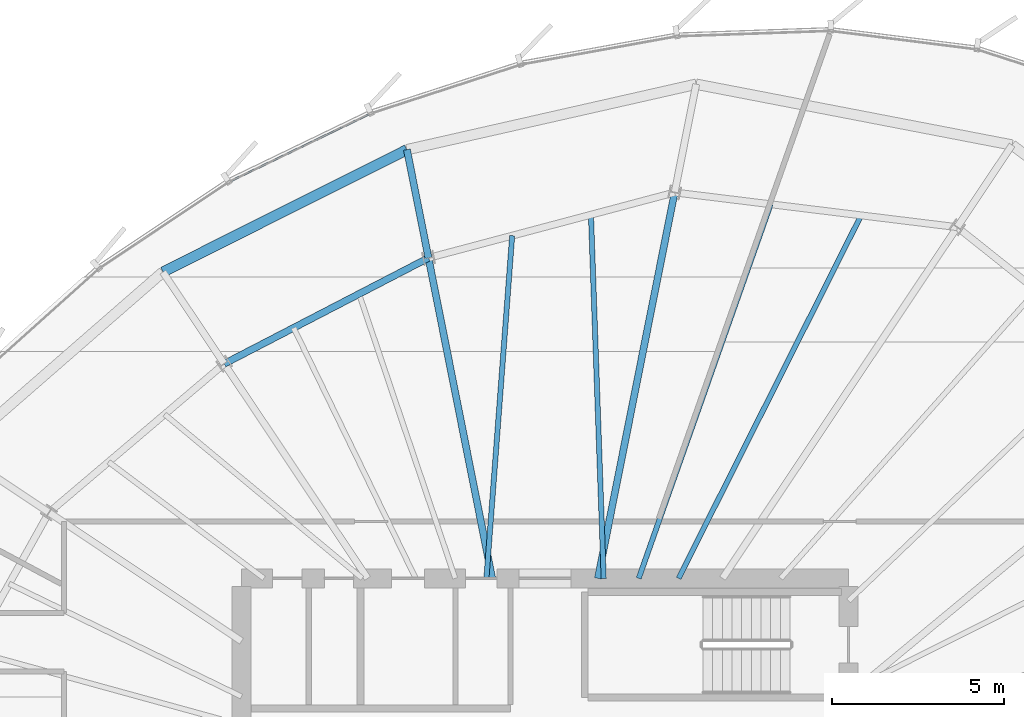
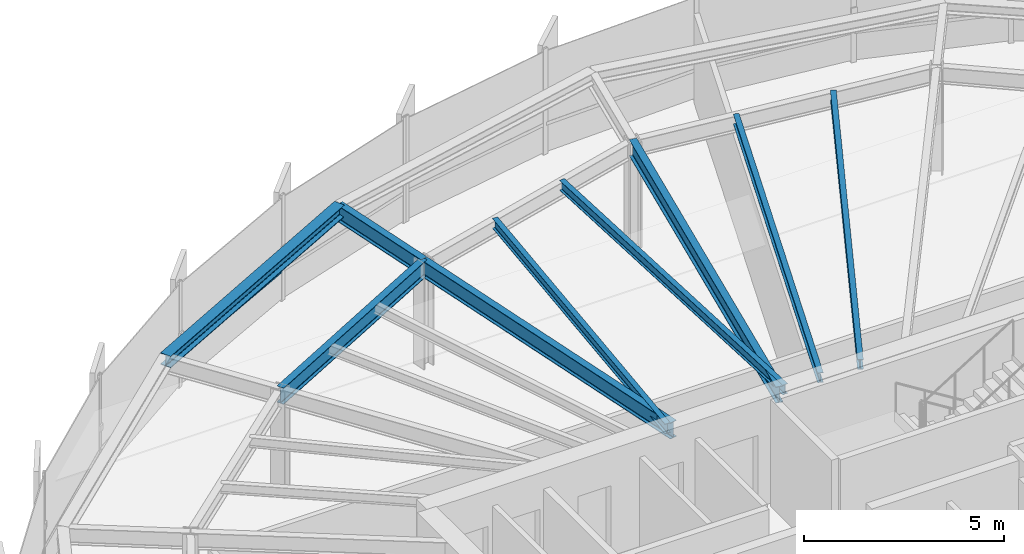
# One storey, part 22 of 34: 9 beams, 1 member, 1 element without a shape of its own.
"""IFC4 building model written with IfcOpenShell, lengths in metres."""

from ifc_helpers import new_model, si_unit, direction, frame, origin, origin_2d, place, context, subcontext, project, spatial, hollow_rectangle, i_section, extrude, source, transform, mapped, material, layer, layer_set, material_profile, profile_set, type_object, element, aggregate, save


model = new_model("IFC4")

# Units and contexts
model_context = context("Model", 3, precision=1e-05, world=origin(), true_north=direction((0.0, 1.0)))
body_context = subcontext(model_context, "Body", "Model", "MODEL_VIEW")
ifc_project = project(units=[si_unit("LENGTHUNIT", "METRE"), si_unit("AREAUNIT", "SQUARE_METRE"), si_unit("VOLUMEUNIT", "CUBIC_METRE"), si_unit("PLANEANGLEUNIT", "RADIAN"), si_unit("MASSUNIT", "GRAM", prefix="KILO"), si_unit("THERMODYNAMICTEMPERATUREUNIT", "KELVIN")], contexts=[model_context])

# Site, building, storey
site_placement = place(None, origin())
site = spatial("IfcSite", under=ifc_project, at=site_placement, CompositionType="ELEMENT")
building_placement = place(site_placement, origin())
building = spatial("IfcBuilding", under=site, at=building_placement, Name="Kethvar Cultural Tower", CompositionType="ELEMENT")
storey_placement = place(building_placement, frame((0.0, 0.0, 186.89990234375)))
storey = spatial("IfcBuildingStorey", under=building, at=storey_placement, Name="L48", CompositionType="ELEMENT", Elevation=186.89990234375)

# Beams
ifc_material_1 = material(Name="Steel S355J2", Category="steel")
ifc_material_profile_1 = material_profile(ifc_material_1, i_section(OverallWidth=0.199951171875, OverallDepth=0.5, WebThickness=0.01025390625, FlangeThickness=0.01611328125, FilletRadius=0.02099609375, at=origin_2d()), Name="Steel S355J2 — IPE500")
ifc_profile_set_1 = profile_set([ifc_material_profile_1], Name="Steel S355J2 — IPE500")
beam_type_1 = type_object("IfcBeamType", Name="BM-IPE500", PredefinedType="BEAM", material=ifc_profile_set_1)
shared_shape_1 = source(origin(), body_context, "Body", "SweptSolid", [
    extrude(i_section(OverallWidth=0.199951171875, OverallDepth=0.5, WebThickness=0.01025390625, FlangeThickness=0.01611328125, FilletRadius=0.02099609375, at=origin_2d()), origin(), (0.0, 0.0, 1.0), 3.199951171875),
])
beam_1_placement = place(storey_placement, frame((43.420654296875, 44.789306640625, 3.008056640625), z_axis=(-0.195088965533, 0.980785550224, 0.0), x_axis=(-0.980785550224, -0.195088965533, 0.0)))
element("IfcBeam", 1, at=beam_1_placement, inside=storey, type_object=beam_type_1, Name="L48 Perimeter Cantilever Beam RC-05", PredefinedType="BEAM", context=body_context, shape_type="MappedRepresentation", body=[
    mapped(shared_shape_1, transform((0.0, 0.0, 0.0), scale=1.0)),
])
shared_shape_2 = source(origin(), body_context, "Body", "SweptSolid", [
    extrude(i_section(OverallWidth=0.199951171875, OverallDepth=0.5, WebThickness=0.01025390625, FlangeThickness=0.01611328125, FilletRadius=0.02099609375, at=origin_2d()), origin(), (0.0, 0.0, 1.0), 11.40673828125),
])
beam_2_placement = place(storey_placement, frame((48.33154296875, 35.5, 3.008056640625), z_axis=(0.195091138918, 0.980785117911, 0.0), x_axis=(-0.980785117911, 0.195091138918, 0.0)))
element("IfcBeam", 2, at=beam_2_placement, inside=storey, type_object=beam_type_1, Name="L48 Primary Radial Beam RB-04", PredefinedType="BEAM", context=body_context, shape_type="MappedRepresentation", body=[
    mapped(shared_shape_2, transform((0.0, 0.0, 0.0), scale=1.0)),
])
shared_shape_3 = source(origin(), body_context, "Body", "SweptSolid", [
    extrude(i_section(OverallWidth=0.199951171875, OverallDepth=0.5, WebThickness=0.01025390625, FlangeThickness=0.01611328125, FilletRadius=0.02099609375, at=origin_2d()), origin(), (0.0, 0.0, 1.0), 9.47119140625),
])
beam_3_placement = place(storey_placement, frame((45.268310546875, 35.5, 3.008056640625), z_axis=(-0.195079990396, 0.980787335434, 0.0), x_axis=(-0.980787335434, -0.195079990396, 0.0)))
element("IfcBeam", 3, at=beam_3_placement, inside=storey, type_object=beam_type_1, Name="L48 Primary Radial Beam RB-05", PredefinedType="BEAM", context=body_context, shape_type="MappedRepresentation", body=[
    mapped(shared_shape_3, transform((0.0, 0.0, 0.0), scale=1.0)),
])
ifc_material_profile_2 = material_profile(ifc_material_1, i_section(OverallWidth=0.14990234375, OverallDepth=0.300048828125, WebThickness=0.007080078125, FlangeThickness=0.0107421875, FilletRadius=0.014892578125, at=origin_2d()), Name="Steel S355J2 — IPE300")
ifc_profile_set_2 = profile_set([ifc_material_profile_2], Name="Steel S355J2 — IPE300")
beam_type_2 = type_object("IfcBeamType", Name="BM-J300", PredefinedType="JOIST", material=ifc_profile_set_2)
shared_shape_4 = source(origin(), body_context, "Body", "SweptSolid", [
    extrude(i_section(OverallWidth=0.14990234375, OverallDepth=0.300048828125, WebThickness=0.007080078125, FlangeThickness=0.0107421875, FilletRadius=0.014892578125, at=origin_2d()), origin(), (0.0, 0.0, 1.0), 11.77880859375),
])
beam_4_placement = place(storey_placement, frame((50.671630859375, 35.5, 3.108154296875), z_axis=(0.449218855458, 0.893421748057, 0.0), x_axis=(-0.893421748057, 0.449218855458, 0.0)))
element("IfcBeam", 4, at=beam_4_placement, inside=storey, type_object=beam_type_2, Name="L48 Composite Floor Joist J-03A", PredefinedType="JOIST", context=body_context, shape_type="MappedRepresentation", body=[
    mapped(shared_shape_4, transform((0.0, 0.0, 0.0), scale=1.0)),
])
shared_shape_5 = source(origin(), body_context, "Body", "SweptSolid", [
    extrude(i_section(OverallWidth=0.14990234375, OverallDepth=0.300048828125, WebThickness=0.007080078125, FlangeThickness=0.0107421875, FilletRadius=0.014892578125, at=origin_2d()), origin(), (0.0, 0.0, 1.0), 11.50048828125),
])
beam_5_placement = place(storey_placement, frame((49.51611328125, 35.5, 3.108154296875), z_axis=(0.332655768875, 0.943048322958, 0.0), x_axis=(-0.943048322958, 0.332655768875, 0.0)))
element("IfcBeam", 5, at=beam_5_placement, inside=storey, type_object=beam_type_2, Name="L48 Composite Floor Joist J-03B", PredefinedType="JOIST", context=body_context, shape_type="MappedRepresentation", body=[
    mapped(shared_shape_5, transform((0.0, 0.0, 0.0), scale=1.0)),
])
shared_shape_6 = source(origin(), body_context, "Body", "SweptSolid", [
    extrude(i_section(OverallWidth=0.14990234375, OverallDepth=0.300048828125, WebThickness=0.007080078125, FlangeThickness=0.0107421875, FilletRadius=0.014892578125, at=origin_2d()), origin(), (0.0, 0.0, 1.0), 10.54833984375),
])
beam_6_placement = place(storey_placement, frame((48.5, 35.5, 3.108154296875), z_axis=(-0.035017879941, 0.999386685965, 0.0), x_axis=(-0.999386685965, -0.035017879941, 0.0)))
element("IfcBeam", 6, at=beam_6_placement, inside=storey, type_object=beam_type_2, Name="L48 Composite Floor Joist J-04A", PredefinedType="JOIST", context=body_context, shape_type="MappedRepresentation", body=[
    mapped(shared_shape_6, transform((0.0, 0.0, 0.0), scale=1.0)),
])
shared_shape_7 = source(origin(), body_context, "Body", "SweptSolid", [
    extrude(i_section(OverallWidth=0.14990234375, OverallDepth=0.300048828125, WebThickness=0.007080078125, FlangeThickness=0.0107421875, FilletRadius=0.014892578125, at=origin_2d()), origin(), (0.0, 0.0, 1.0), 9.962646484375),
])
beam_7_placement = place(storey_placement, frame((45.10009765625, 35.5, 3.108154296875), z_axis=(0.074962964429, 0.99718631858, 0.0), x_axis=(-0.99718631858, 0.074962964429, 0.0)))
element("IfcBeam", 7, at=beam_7_placement, inside=storey, type_object=beam_type_2, Name="L48 Composite Floor Joist J-04B", PredefinedType="JOIST", context=body_context, shape_type="MappedRepresentation", body=[
    mapped(shared_shape_7, transform((0.0, 0.0, 0.0), scale=1.0)),
])
shared_shape_8 = source(origin(), body_context, "Body", "SweptSolid", [
    extrude(i_section(OverallWidth=0.199951171875, OverallDepth=0.5, WebThickness=0.01025390625, FlangeThickness=0.01611328125, FilletRadius=0.02099609375, at=origin_2d()), origin(), (0.0, 0.0, 1.0), 6.669921875),
])
beam_8_placement = place(storey_placement, frame((43.420654296875, 44.789306640625, 3.008056640625), z_axis=(-0.887861983948, -0.460109875421, 0.0), x_axis=(0.460109875421, -0.887861983948, 0.0)))
element("IfcBeam", 8, at=beam_8_placement, inside=storey, type_object=beam_type_1, Name="L48 Column Ring Tie Beam CR-05", PredefinedType="BEAM", context=body_context, shape_type="MappedRepresentation", body=[
    mapped(shared_shape_8, transform((0.0, 0.0, 0.0), scale=1.0)),
])
ifc_material_profile_3 = material_profile(ifc_material_1, i_section(OverallWidth=0.300048828125, OverallDepth=0.360107421875, WebThickness=0.012451171875, FlangeThickness=0.0224609375, FilletRadius=0.027099609375, at=origin_2d()), Name="Steel S355J2 — HEB360")
ifc_profile_set_3 = profile_set([ifc_material_profile_3], Name="Steel S355J2 — HEB360")
beam_type_3 = type_object("IfcBeamType", Name="BM-SP360", PredefinedType="SPANDREL", material=ifc_profile_set_3)
shared_shape_9 = source(origin(), body_context, "Body", "SweptSolid", [
    extrude(i_section(OverallWidth=0.300048828125, OverallDepth=0.360107421875, WebThickness=0.012451171875, FlangeThickness=0.0224609375, FilletRadius=0.027099609375, at=origin_2d()), origin(), (0.0, 0.0, 1.0), 7.91455078125),
])
beam_9_placement = place(storey_placement, frame((42.79638671875, 47.927734375, 3.078125), z_axis=(-0.893976371529, -0.44811410059, 0.0), x_axis=(0.44811410059, -0.893976371529, 0.0)))
element("IfcBeam", 9, at=beam_9_placement, inside=storey, type_object=beam_type_3, Name="L48 Perimeter Spandrel Beam SP-05", PredefinedType="SPANDREL", context=body_context, shape_type="MappedRepresentation", body=[
    mapped(shared_shape_9, transform((0.0, 0.0, 0.0), scale=1.0)),
])

# Curtain wall, member
ifc_material_2 = material(Name="Aluminium 6063-T6", Category="aluminium")
ifc_layer = layer(ifc_material_2, 0.179931640625, Name="Aluminium 6063-T6", Category="aluminium")
ifc_layer_set = layer_set([ifc_layer], Name="Aluminium 6063-T6 (180 mm)")
curtain_wall_type = type_object("IfcCurtainWallType", Name="CW-SYS-04-Z34", PredefinedType="NOTDEFINED", material=ifc_layer_set)
curtain_wall_placement = place(storey_placement, origin())
curtain_wall = element("IfcCurtainWall", 10, at=curtain_wall_placement, inside=storey, type_object=curtain_wall_type, Name="L48 Curtain Wall Run 02", PredefinedType="NOTDEFINED")
ifc_material_profile_4 = material_profile(ifc_material_2, hollow_rectangle(XDim=0.050048828125, YDim=0.10009765625, WallThickness=0.00390625, at=origin_2d()), Name="Aluminium 6063-T6 — RHS100x50x4")
ifc_profile_set_4 = profile_set([ifc_material_profile_4], Name="Aluminium 6063-T6 — RHS100x50x4")
member_type = type_object("IfcMemberType", Name="CW-SYS-04-Z34-TRN", PredefinedType="USERDEFINED", material=ifc_profile_set_4)
shared_shape_10 = source(origin(), body_context, "Body", "SweptSolid", [
    extrude(hollow_rectangle(XDim=0.050048828125, YDim=0.10009765625, WallThickness=0.00390625, at=origin_2d()), origin(), (0.0, 0.0, 1.0), 4.505859375),
])
member_placement = place(storey_placement, frame((41.71337890625, 48.961181640625, 0.9501953125), z_axis=(-0.900550173408, -0.434752096229, 0.0), x_axis=(0.434752096229, -0.900550173408, 0.0)))
member = element("IfcMember", 11, at=member_placement, type_object=member_type, Name="CW-L48-R02 Transom 2", ObjectType="TRANSOM", PredefinedType="USERDEFINED", context=body_context, shape_type="MappedRepresentation", body=[
    mapped(shared_shape_10, transform((0.0, 0.0, 0.0), scale=1.0)),
])
aggregate(curtain_wall, [member])

save(model, "model.ifc")
